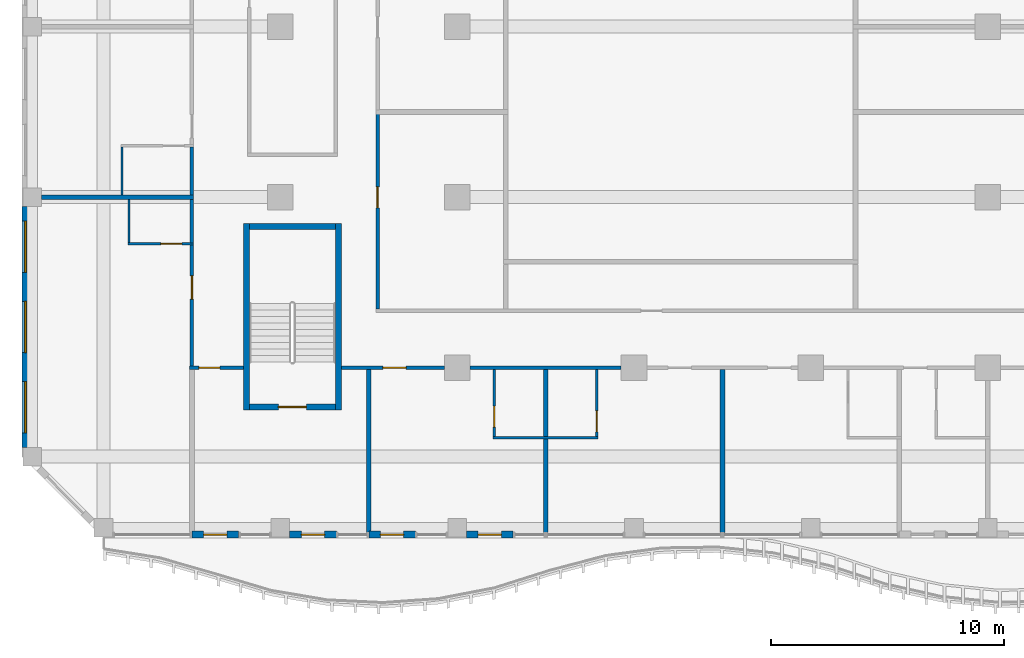
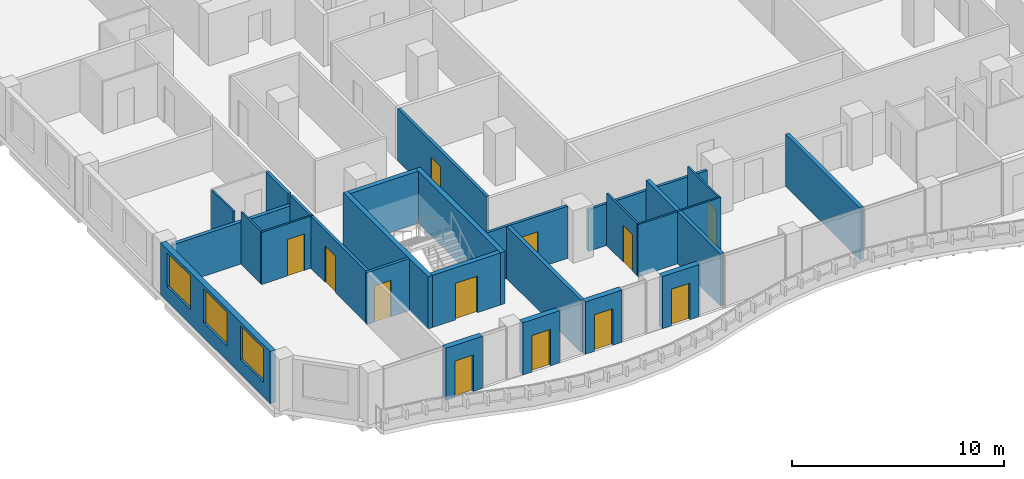
# One storey, part 10 of 23: 27 walls, 12 doors, 3 windows, 15 openings.
"""IFC4 building model written with IfcOpenShell, lengths in metres."""

from ifc_helpers import new_model, si_unit, direction, frame, frame_2d, origin, place, context, subcontext, project, spatial, rectangle, extrude, source, transform, mapped, material, layer, layer_set, type_object, element, fill, save


model = new_model("IFC4")

# Units and contexts
model_context = context("Model", 3, precision=1e-05, world=origin(), true_north=direction((0.0, 1.0)))
body_context = subcontext(model_context, "Body", "Model", "MODEL_VIEW")
ifc_project = project(units=[si_unit("LENGTHUNIT", "METRE"), si_unit("AREAUNIT", "SQUARE_METRE"), si_unit("VOLUMEUNIT", "CUBIC_METRE"), si_unit("PLANEANGLEUNIT", "RADIAN"), si_unit("MASSUNIT", "GRAM", prefix="KILO")], contexts=[model_context])

# Site, building, storey
site_placement = place(None, origin())
site = spatial("IfcSite", under=ifc_project, at=site_placement, CompositionType="ELEMENT")
building_placement = place(site_placement, origin())
building = spatial("IfcBuilding", under=site, at=building_placement, Name="Kilnfold Tower and Market Hall", CompositionType="ELEMENT")
storey_placement = place(building_placement, frame((0.0, 0.0, 160.89990234375)))
storey = spatial("IfcBuildingStorey", under=building, at=storey_placement, Name="L37", CompositionType="ELEMENT", Elevation=160.89990234375)

# Wall, opening, door
ifc_material_1 = material(Name="Gypsum board on steel studs", Category="steel")
ifc_layer_1 = layer(ifc_material_1, 0.14990234375)
ifc_layer_set_1 = layer_set([ifc_layer_1], Name="Gypsum board on steel studs")
wall_type_1 = type_object("IfcWallType", Name="WALL CORRIDOR 150", PredefinedType="PARTITIONING", material=ifc_layer_set_1)
wall_1_placement = place(storey_placement, frame((-13.550048828125, -13.93798828125, 0.0), z_axis=(0.0, 0.0, 1.0), x_axis=(1.0, 0.0, 0.0)))
wall_1 = element("IfcWall", 1, at=wall_1_placement, inside=storey, type_object=wall_type_1, Name="Partition LY24.1", PredefinedType="PARTITIONING", context=body_context, shape_type="SweptSolid", body=[
    extrude(rectangle(XDim=4.4169921875, YDim=0.14990234375, at=frame_2d((2.20849609375, 0.0))), origin(), (0.0, 0.0, 1.0), 3.0),
])
opening_1_placement = place(wall_1_placement, frame((1.777099609375, 0.0, 0.0)))
opening_1 = element("IfcOpeningElement", 2, at=opening_1_placement, cuts=wall_1, Name="Opening D1", PredefinedType="OPENING", context=body_context, shape_type="SweptSolid", body=[
    extrude(rectangle(XDim=1.0, YDim=2.10009765625, at=frame_2d((0.5, 1.050048828125))), frame((0.0, 0.0849609375, 0.0), z_axis=(0.0, -1.0, 0.0), x_axis=(1.0, 0.0, 0.0)), (0.0, 0.0, 1.0), 0.169921875),
])
ifc_material_2 = material(Name="Timber veneer door leaf in steel frame", Category="steel")
door_type_1 = type_object("IfcDoorType", Name="DOOR ENTRY 1000 X2100", OperationType="NOTDEFINED", PredefinedType="DOOR", material=ifc_material_2)
door_1_placement = place(opening_1_placement, origin())
door_1 = element("IfcDoor", 3, at=door_1_placement, inside=storey, type_object=door_type_1, Name="Door D1", OperationType="SINGLE_SWING_LEFT", OverallHeight=2.10009765625, OverallWidth=1.0, PredefinedType="DOOR", context=body_context, shape_type="SweptSolid", body=[
    extrude(rectangle(XDim=1.0, YDim=2.10009765625, at=frame_2d((0.5, 1.050048828125))), frame((0.0, 0.02490234375, 0.0), z_axis=(0.0, -1.0, 0.0), x_axis=(1.0, 0.0, 0.0)), (0.0, 0.0, 1.0), 0.050048828125),
])
fill(opening_1, door_1)

wall_2_placement = place(storey_placement, frame((-20.05908203125, -13.93798828125, 0.0), z_axis=(0.0, 0.0, 1.0), x_axis=(1.0, 0.0, 0.0)))
wall_2 = element("IfcWall", 4, at=wall_2_placement, inside=storey, type_object=wall_type_1, Name="Partition LY24.2", PredefinedType="PARTITIONING", context=body_context, shape_type="SweptSolid", body=[
    extrude(rectangle(XDim=2.30908203125, YDim=0.14990234375, at=frame_2d((1.154541015625, 0.0))), origin(), (0.0, 0.0, 1.0), 3.0),
])
opening_2_placement = place(wall_2_placement, frame((0.402099609375, 0.0, 0.0)))
opening_2 = element("IfcOpeningElement", 5, at=opening_2_placement, cuts=wall_2, Name="Opening D2", PredefinedType="OPENING", context=body_context, shape_type="SweptSolid", body=[
    extrude(rectangle(XDim=0.89990234375, YDim=2.10009765625, at=frame_2d((0.449951171875, 1.050048828125))), frame((0.0, 0.0849609375, 0.0), z_axis=(0.0, -1.0, 0.0), x_axis=(1.0, 0.0, 0.0)), (0.0, 0.0, 1.0), 0.169921875),
])
ifc_material_3 = material(Name="Timber veneer door leaf in steel frame", Category="steel")
door_type_2 = type_object("IfcDoorType", Name="DOOR ROOM 900 X2100", OperationType="NOTDEFINED", PredefinedType="DOOR", material=ifc_material_3)
door_2_placement = place(opening_2_placement, origin())
door_2 = element("IfcDoor", 6, at=door_2_placement, inside=storey, type_object=door_type_2, Name="Door D2", OperationType="SINGLE_SWING_LEFT", OverallHeight=2.10009765625, OverallWidth=0.89990234375, PredefinedType="DOOR", context=body_context, shape_type="SweptSolid", body=[
    extrude(rectangle(XDim=0.89990234375, YDim=2.10009765625, at=frame_2d((0.449951171875, 1.050048828125))), frame((0.0, 0.02490234375, 0.0), z_axis=(0.0, -1.0, 0.0), x_axis=(1.0, 0.0, 0.0)), (0.0, 0.0, 1.0), 0.050048828125),
])
fill(opening_2, door_2)

# Wall
wall_3_placement = place(storey_placement, frame((-8.032958984375, -13.93798828125, 0.0), z_axis=(0.0, 0.0, 1.0), x_axis=(1.0, 0.0, 0.0)))
element("IfcWall", 7, at=wall_3_placement, inside=storey, type_object=wall_type_1, Name="Partition LY24.3", PredefinedType="PARTITIONING", context=body_context, shape_type="SweptSolid", body=[
    extrude(rectangle(XDim=6.48291015625, YDim=0.14990234375, at=frame_2d((3.241455078125, 0.0))), origin(), (0.0, 0.0, 1.0), 2.400146484375),
])

# Wall, opening, door
wall_4_placement = place(storey_placement, frame((-19.958984375, -13.863037109375, 0.0), z_axis=(0.0, 0.0, 1.0), x_axis=(0.0, 1.0, 0.0)))
wall_4 = element("IfcWall", 8, at=wall_4_placement, inside=storey, type_object=wall_type_1, Name="Partition LY24.10", PredefinedType="PARTITIONING", context=body_context, shape_type="SweptSolid", body=[
    extrude(rectangle(XDim=5.197998046875, YDim=0.14990234375, at=frame_2d((2.59912109375, 0.0))), origin(), (0.0, 0.0, 1.0), 3.0),
])
opening_3_placement = place(wall_4_placement, frame((2.868896484375, 0.0, 0.0)))
opening_3 = element("IfcOpeningElement", 9, at=opening_3_placement, cuts=wall_4, Name="Opening D1", PredefinedType="OPENING", context=body_context, shape_type="SweptSolid", body=[
    extrude(rectangle(XDim=1.0, YDim=2.10009765625, at=frame_2d((0.5, 1.050048828125))), frame((0.0, 0.0849609375, 0.0), z_axis=(0.0, -1.0, 0.0), x_axis=(1.0, 0.0, 0.0)), (0.0, 0.0, 1.0), 0.169921875),
])
door_3_placement = place(opening_3_placement, origin())
door_3 = element("IfcDoor", 10, at=door_3_placement, inside=storey, type_object=door_type_1, Name="Door D1", OperationType="SINGLE_SWING_RIGHT", OverallHeight=2.10009765625, OverallWidth=1.0, PredefinedType="DOOR", context=body_context, shape_type="SweptSolid", body=[
    extrude(rectangle(XDim=1.0, YDim=2.10009765625, at=frame_2d((0.5, 1.050048828125))), frame((0.0, 0.02490234375, 0.0), z_axis=(0.0, -1.0, 0.0), x_axis=(1.0, 0.0, 0.0)), (0.0, 0.0, 1.0), 0.050048828125),
])
fill(opening_3, door_3)

# Walls
wall_5_placement = place(storey_placement, frame((-19.958984375, -8.5849609375, 0.0), z_axis=(0.0, 0.0, 1.0), x_axis=(0.0, 1.0, 0.0)))
element("IfcWall", 11, at=wall_5_placement, inside=storey, type_object=wall_type_1, Name="Partition LY24.11", PredefinedType="PARTITIONING", context=body_context, shape_type="SweptSolid", body=[
    extrude(rectangle(XDim=1.869873046875, YDim=0.14990234375, at=frame_2d((0.93505859375, 0.0))), origin(), (0.0, 0.0, 1.0), 3.0),
])
wall_6_placement = place(storey_placement, frame((-19.958984375, -6.534912109375, 0.0), z_axis=(0.0, 0.0, 1.0), x_axis=(0.0, 1.0, 0.0)))
element("IfcWall", 12, at=wall_6_placement, inside=storey, type_object=wall_type_1, Name="Partition LY24.13", PredefinedType="PARTITIONING", context=body_context, shape_type="SweptSolid", body=[
    extrude(rectangle(XDim=2.06982421875, YDim=0.14990234375, at=frame_2d((1.034912109375, 0.0))), origin(), (0.0, 0.0, 1.0), 3.0),
])

# Wall, opening, door
wall_7_placement = place(storey_placement, frame((-12.0, -11.425048828125, 0.0), z_axis=(0.0, 0.0, 1.0), x_axis=(0.0, 1.0, 0.0)))
wall_7 = element("IfcWall", 13, at=wall_7_placement, inside=storey, type_object=wall_type_1, Name="Partition LY24.32", PredefinedType="PARTITIONING", context=body_context, shape_type="SweptSolid", body=[
    extrude(rectangle(XDim=8.365966796875, YDim=0.14990234375, at=frame_2d((4.18310546875, 0.0))), origin(), (0.0, 0.0, 1.0), 3.0),
])
opening_4_placement = place(wall_7_placement, frame((4.339111328125, 0.0, 0.0)))
opening_4 = element("IfcOpeningElement", 14, at=opening_4_placement, cuts=wall_7, Name="Opening D2", PredefinedType="OPENING", context=body_context, shape_type="SweptSolid", body=[
    extrude(rectangle(XDim=0.89990234375, YDim=2.10009765625, at=frame_2d((0.449951171875, 1.050048828125))), frame((0.0, 0.0849609375, 0.0), z_axis=(0.0, -1.0, 0.0), x_axis=(1.0, 0.0, 0.0)), (0.0, 0.0, 1.0), 0.169921875),
])
door_4_placement = place(opening_4_placement, origin())
door_4 = element("IfcDoor", 15, at=door_4_placement, inside=storey, type_object=door_type_2, Name="Door D2", OperationType="SINGLE_SWING_RIGHT", OverallHeight=2.10009765625, OverallWidth=0.89990234375, PredefinedType="DOOR", context=body_context, shape_type="SweptSolid", body=[
    extrude(rectangle(XDim=0.89990234375, YDim=2.10009765625, at=frame_2d((0.449951171875, 1.050048828125))), frame((0.0, 0.02490234375, 0.0), z_axis=(0.0, -1.0, 0.0), x_axis=(1.0, 0.0, 0.0)), (0.0, 0.0, 1.0), 0.050048828125),
])
fill(opening_4, door_4)

ifc_material_4 = material(Name="Gypsum board on steel studs", Category="steel")
ifc_layer_2 = layer(ifc_material_4, 0.10009765625)
ifc_layer_set_2 = layer_set([ifc_layer_2], Name="Gypsum board on steel studs")
wall_type_2 = type_object("IfcWallType", Name="WALL PARTITION 100", PredefinedType="PARTITIONING", material=ifc_layer_set_2)
wall_8_placement = place(storey_placement, frame((-6.991943359375, -16.889892578125, 0.0), z_axis=(0.0, 0.0, 1.0), x_axis=(0.0, 1.0, 0.0)))
wall_8 = element("IfcWall", 16, at=wall_8_placement, inside=storey, type_object=wall_type_2, Name="Partition LY24.49", PredefinedType="PARTITIONING", context=body_context, shape_type="SweptSolid", body=[
    extrude(rectangle(XDim=2.875, YDim=0.10009765625, at=frame_2d((1.4375, 0.0))), origin(), (0.0, 0.0, 1.0), 3.0),
])
opening_5_placement = place(wall_8_placement, frame((0.409912109375, 0.0, 0.0)))
opening_5 = element("IfcOpeningElement", 17, at=opening_5_placement, cuts=wall_8, Name="Opening D3", PredefinedType="OPENING", context=body_context, shape_type="SweptSolid", body=[
    extrude(rectangle(XDim=0.89990234375, YDim=2.10009765625, at=frame_2d((0.449951171875, 1.050048828125))), frame((0.0, 0.06005859375, 0.0), z_axis=(0.0, -1.0, 0.0), x_axis=(1.0, 0.0, 0.0)), (0.0, 0.0, 1.0), 0.1201171875),
])
ifc_material_5 = material(Name="Timber veneer door leaf in steel frame", Category="steel")
door_type_3 = type_object("IfcDoorType", Name="DOOR WC 900 X2100", OperationType="NOTDEFINED", PredefinedType="DOOR", material=ifc_material_5)
door_5_placement = place(opening_5_placement, origin())
door_5 = element("IfcDoor", 18, at=door_5_placement, inside=storey, type_object=door_type_3, Name="Door D3", OperationType="SINGLE_SWING_LEFT", OverallHeight=2.10009765625, OverallWidth=0.89990234375, PredefinedType="DOOR", context=body_context, shape_type="SweptSolid", body=[
    extrude(rectangle(XDim=0.89990234375, YDim=2.10009765625, at=frame_2d((0.449951171875, 1.050048828125))), frame((0.0, 0.02490234375, 0.0), z_axis=(0.0, -1.0, 0.0), x_axis=(1.0, 0.0, 0.0)), (0.0, 0.0, 1.0), 0.050048828125),
])
fill(opening_5, door_5)

# Wall
wall_9_placement = place(storey_placement, frame((-7.0419921875, -16.93994140625, 0.0), z_axis=(0.0, 0.0, 1.0), x_axis=(1.0, 0.0, 0.0)))
element("IfcWall", 19, at=wall_9_placement, inside=storey, type_object=wall_type_2, Name="Partition LY24.50", PredefinedType="PARTITIONING", context=body_context, shape_type="SweptSolid", body=[
    extrude(rectangle(XDim=4.5, YDim=0.10009765625, at=frame_2d((2.25, 0.0))), origin(), (0.0, 0.0, 1.0), 3.0),
])

# Wall, opening, door
wall_10_placement = place(storey_placement, frame((-2.592041015625, -14.014892578125, 0.0), z_axis=(0.0, 0.0, 1.0), x_axis=(0.0, -1.0, 0.0)))
wall_10 = element("IfcWall", 20, at=wall_10_placement, inside=storey, type_object=wall_type_2, Name="Partition LY24.53", PredefinedType="PARTITIONING", context=body_context, shape_type="SweptSolid", body=[
    extrude(rectangle(XDim=2.875, YDim=0.10009765625, at=frame_2d((1.4375, 0.0))), origin(), (0.0, 0.0, 1.0), 3.0),
])
opening_6_placement = place(wall_10_placement, frame((1.77490234375, 0.0, 0.0)))
opening_6 = element("IfcOpeningElement", 21, at=opening_6_placement, cuts=wall_10, Name="Opening D3", PredefinedType="OPENING", context=body_context, shape_type="SweptSolid", body=[
    extrude(rectangle(XDim=0.89990234375, YDim=2.10009765625, at=frame_2d((0.449951171875, 1.050048828125))), frame((0.0, 0.06005859375, 0.0), z_axis=(0.0, -1.0, 0.0), x_axis=(1.0, 0.0, 0.0)), (0.0, 0.0, 1.0), 0.1201171875),
])
door_6_placement = place(opening_6_placement, origin())
door_6 = element("IfcDoor", 22, at=door_6_placement, inside=storey, type_object=door_type_3, Name="Door D3", OperationType="SINGLE_SWING_RIGHT", OverallHeight=2.10009765625, OverallWidth=0.89990234375, PredefinedType="DOOR", context=body_context, shape_type="SweptSolid", body=[
    extrude(rectangle(XDim=0.89990234375, YDim=2.10009765625, at=frame_2d((0.449951171875, 1.050048828125))), frame((0.0, 0.02490234375, 0.0), z_axis=(0.0, -1.0, 0.0), x_axis=(1.0, 0.0, 0.0)), (0.0, 0.0, 1.0), 0.050048828125),
])
fill(opening_6, door_6)

# Wall
wall_11_placement = place(storey_placement, frame((-22.658935546875, -8.574951171875, 0.0), z_axis=(0.0, 0.0, 1.0), x_axis=(0.0, 1.0, 0.0)))
element("IfcWall", 23, at=wall_11_placement, inside=storey, type_object=wall_type_2, Name="Partition LY24.65", PredefinedType="PARTITIONING", context=body_context, shape_type="SweptSolid", body=[
    extrude(rectangle(XDim=1.849853515625, YDim=0.10009765625, at=frame_2d((0.9248046875, 0.0))), origin(), (0.0, 0.0, 1.0), 3.0),
])

# Wall, opening, door
wall_12_placement = place(storey_placement, frame((-19.885986328125, -8.625, 0.0), z_axis=(0.0, 0.0, 1.0), x_axis=(-1.0, 0.0, 0.0)))
wall_12 = element("IfcWall", 24, at=wall_12_placement, inside=storey, type_object=wall_type_2, Name="Partition LY24.66", PredefinedType="PARTITIONING", context=body_context, shape_type="SweptSolid", body=[
    extrude(rectangle(XDim=2.822998046875, YDim=0.10009765625, at=frame_2d((1.41162109375, 0.0))), origin(), (0.0, 0.0, 1.0), 3.0),
])
opening_7_placement = place(wall_12_placement, frame((0.5048828125, 0.0, 0.0)))
opening_7 = element("IfcOpeningElement", 25, at=opening_7_placement, cuts=wall_12, Name="Opening D3", PredefinedType="OPENING", context=body_context, shape_type="SweptSolid", body=[
    extrude(rectangle(XDim=0.89990234375, YDim=2.10009765625, at=frame_2d((0.449951171875, 1.050048828125))), frame((0.0, 0.06005859375, 0.0), z_axis=(0.0, -1.0, 0.0), x_axis=(1.0, 0.0, 0.0)), (0.0, 0.0, 1.0), 0.1201171875),
])
door_7_placement = place(opening_7_placement, origin())
door_7 = element("IfcDoor", 26, at=door_7_placement, inside=storey, type_object=door_type_3, Name="Door D3", OperationType="SINGLE_SWING_RIGHT", OverallHeight=2.10009765625, OverallWidth=0.89990234375, PredefinedType="DOOR", context=body_context, shape_type="SweptSolid", body=[
    extrude(rectangle(XDim=0.89990234375, YDim=2.10009765625, at=frame_2d((0.449951171875, 1.050048828125))), frame((0.0, 0.02490234375, 0.0), z_axis=(0.0, -1.0, 0.0), x_axis=(1.0, 0.0, 0.0)), (0.0, 0.0, 1.0), 0.050048828125),
])
fill(opening_7, door_7)

# Walls
wall_13_placement = place(storey_placement, frame((-22.9609375, -6.52490234375, 0.0), z_axis=(0.0, 0.0, 1.0), x_axis=(0.0, 1.0, 0.0)))
element("IfcWall", 27, at=wall_13_placement, inside=storey, type_object=wall_type_2, Name="Partition LY24.68", PredefinedType="PARTITIONING", context=body_context, shape_type="SweptSolid", body=[
    extrude(rectangle(XDim=2.0498046875, YDim=0.10009765625, at=frame_2d((1.02490234375, 0.0))), origin(), (0.0, 0.0, 1.0), 3.0),
])
ifc_material_6 = material(Name="Gypsum board on steel studs", Category="steel")
ifc_layer_3 = layer(ifc_material_6, 0.199951171875)
ifc_layer_set_3 = layer_set([ifc_layer_3], Name="Gypsum board on steel studs")
wall_type_3 = type_object("IfcWallType", Name="WALL PARTY 200", PredefinedType="PARTITIONING", material=ifc_layer_set_3)
wall_14_placement = place(storey_placement, frame((-12.375, -21.0, 0.0), z_axis=(0.0, 0.0, 1.0), x_axis=(0.0, 1.0, 0.0)))
element("IfcWall", 28, at=wall_14_placement, inside=storey, type_object=wall_type_3, Name="Partition LY24.47", PredefinedType="PARTITIONING", context=body_context, shape_type="SweptSolid", body=[
    extrude(rectangle(XDim=6.985107421875, YDim=0.199951171875, at=frame_2d((3.49267578125, 0.0))), origin(), (0.0, 0.0, 1.0), 3.0),
])
wall_15_placement = place(storey_placement, frame((-4.7919921875, -21.0, 0.0), z_axis=(0.0, 0.0, 1.0), x_axis=(0.0, 1.0, 0.0)))
element("IfcWall", 29, at=wall_15_placement, inside=storey, type_object=wall_type_3, Name="Partition LY24.51", PredefinedType="PARTITIONING", context=body_context, shape_type="SweptSolid", body=[
    extrude(rectangle(XDim=4.010009765625, YDim=0.199951171875, at=frame_2d((2.0048828125, 0.0))), origin(), (0.0, 0.0, 1.0), 3.0),
])
wall_16_placement = place(storey_placement, frame((-4.7919921875, -16.889892578125, 0.0), z_axis=(0.0, 0.0, 1.0), x_axis=(0.0, 1.0, 0.0)))
element("IfcWall", 30, at=wall_16_placement, inside=storey, type_object=wall_type_3, Name="Partition LY24.52", PredefinedType="PARTITIONING", context=body_context, shape_type="SweptSolid", body=[
    extrude(rectangle(XDim=2.875, YDim=0.199951171875, at=frame_2d((1.4375, 0.0))), origin(), (0.0, 0.0, 1.0), 3.0),
])
wall_17_placement = place(storey_placement, frame((2.7919921875, -21.0, 0.0), z_axis=(0.0, 0.0, 1.0), x_axis=(0.0, 1.0, 0.0)))
element("IfcWall", 31, at=wall_17_placement, inside=storey, type_object=wall_type_3, Name="Partition LY24.54", PredefinedType="PARTITIONING", context=body_context, shape_type="SweptSolid", body=[
    extrude(rectangle(XDim=6.985107421875, YDim=0.199951171875, at=frame_2d((3.49267578125, 0.0))), origin(), (0.0, 0.0, 1.0), 3.0),
])
wall_18_placement = place(storey_placement, frame((-26.39990234375, -6.625, 0.0), z_axis=(0.0, 0.0, 1.0), x_axis=(1.0, 0.0, 0.0)))
element("IfcWall", 32, at=wall_18_placement, inside=storey, type_object=wall_type_3, Name="Partition LY24.67", PredefinedType="PARTITIONING", context=body_context, shape_type="SweptSolid", body=[
    extrude(rectangle(XDim=6.513916015625, YDim=0.199951171875, at=frame_2d((3.2568359375, 0.0))), origin(), (0.0, 0.0, 1.0), 2.400146484375),
])

# Wall, opening, door
ifc_material_7 = material(Name="Concrete C70", Category="concrete")
ifc_layer_4 = layer(ifc_material_7, 0.25)
ifc_layer_set_4 = layer_set([ifc_layer_4], Name="Concrete C70")
wall_type_4 = type_object("IfcWallType", Name="CORE WALL 250 C70", PredefinedType="SHEAR", material=ifc_layer_set_4)
shared_shape_1 = source(origin(), body_context, "Body", "SweptSolid", [
    extrude(rectangle(XDim=3.699951171875, YDim=0.25, at=frame_2d((1.85009765625, 0.0))), origin(), (0.0, 0.0, 1.0), 3.0),
])
wall_19_placement = place(storey_placement, frame((-17.5, -15.625, 0.0), z_axis=(0.0, 0.0, 1.0), x_axis=(1.0, 0.0, 0.0)))
wall_19 = element("IfcWall", 33, at=wall_19_placement, inside=storey, type_object=wall_type_4, Name="Stair enclosure ST3", PredefinedType="SHEAR", context=body_context, shape_type="MappedRepresentation", body=[
    mapped(shared_shape_1, transform((0.0, 0.0, 0.0))),
])
opening_8_placement = place(wall_19_placement, frame((1.25, 0.0, 0.0)))
opening_8 = element("IfcOpeningElement", 34, at=opening_8_placement, cuts=wall_19, Name="Opening SD1", PredefinedType="OPENING", context=body_context, shape_type="SweptSolid", body=[
    extrude(rectangle(XDim=1.199951171875, YDim=2.10009765625, at=frame_2d((0.60009765625, 1.050048828125))), frame((0.0, 0.135009765625, 0.0), z_axis=(0.0, -1.0, 0.0), x_axis=(1.0, 0.0, 0.0)), (0.0, 0.0, 1.0), 0.27001953125),
])
ifc_material_8 = material(Name="Steel door set with fire-resisting leaf", Category="steel")
door_type_4 = type_object("IfcDoorType", Name="STAIR FLOOR DOOR 1200X2100", OperationType="NOTDEFINED", PredefinedType="DOOR", material=ifc_material_8)
door_8_placement = place(opening_8_placement, origin())
door_8 = element("IfcDoor", 35, at=door_8_placement, inside=storey, type_object=door_type_4, Name="Exit stair ST3 door", OperationType="DOUBLE_DOOR_SINGLE_SWING", OverallHeight=2.10009765625, OverallWidth=1.199951171875, PredefinedType="DOOR", context=body_context, shape_type="SweptSolid", body=[
    extrude(rectangle(XDim=1.199951171875, YDim=2.10009765625, at=frame_2d((0.60009765625, 1.050048828125))), frame((0.0, 0.02490234375, 0.0), z_axis=(0.0, -1.0, 0.0), x_axis=(1.0, 0.0, 0.0)), (0.0, 0.0, 1.0), 0.050048828125),
])
fill(opening_8, door_8)

# Walls
wall_20_placement = place(storey_placement, frame((-17.5, -7.875, 0.0), z_axis=(0.0, 0.0, 1.0), x_axis=(1.0, 0.0, 0.0)))
element("IfcWall", 36, at=wall_20_placement, inside=storey, type_object=wall_type_4, Name="Stair enclosure ST3", PredefinedType="SHEAR", context=body_context, shape_type="MappedRepresentation", body=[
    mapped(shared_shape_1, transform((0.0, 0.0, 0.0))),
])
shared_shape_2 = source(origin(), body_context, "Body", "SweptSolid", [
    extrude(rectangle(XDim=8.0, YDim=0.25, at=frame_2d((4.0, 0.0))), origin(), (0.0, 0.0, 1.0), 3.0),
])
for number, where, z_axis, x_axis, name in (
    (37, (-17.625, -15.75, 0.0), (0.0, 0.0, 1.0), (0.0, 1.0, 0.0), "Stair enclosure ST3"),
    (38, (-13.675048828125, -15.75, 0.0), (0.0, 0.0, 1.0), (0.0, 1.0, 0.0), "Stair enclosure ST3"),
):
    element("IfcWall", number, at=place(storey_placement, frame(where, z_axis=z_axis, x_axis=x_axis)), inside=storey, type_object=wall_type_4, Name=name, PredefinedType="SHEAR", context=body_context, shape_type="MappedRepresentation", body=[
        mapped(shared_shape_2, transform((0.0, 0.0, 0.0))),
    ])

# Wall, opening, door
ifc_material_9 = material(Name="Precast concrete C50/60", Category="concrete")
ifc_layer_5 = layer(ifc_material_9, 0.300048828125)
ifc_layer_set_5 = layer_set([ifc_layer_5], Name="Precast concrete C50/60")
wall_type_5 = type_object("IfcWallType", Name="PRECAST WALL 300", PredefinedType="SOLIDWALL", material=ifc_layer_set_5)
shared_shape_3 = source(origin(), body_context, "Body", "SweptSolid", [
    extrude(rectangle(XDim=2.0, YDim=0.300048828125, at=frame_2d((1.0, 0.0))), origin(), (0.0, 0.0, 1.0), 3.0),
])
wall_21_placement = place(storey_placement, frame((-19.95849609375, -21.10009765625, 0.0), z_axis=(0.0, 0.0, 1.0), x_axis=(1.0, 0.0, 0.0)))
wall_21 = element("IfcWall", 39, at=wall_21_placement, inside=storey, type_object=wall_type_5, Name="External wall L37 S", PredefinedType="SOLIDWALL", context=body_context, shape_type="MappedRepresentation", body=[
    mapped(shared_shape_3, transform((0.0, 0.0, 0.0))),
])
opening_9_placement = place(wall_21_placement, frame((0.5, 0.0, 0.0)))
opening_9 = element("IfcOpeningElement", 40, at=opening_9_placement, cuts=wall_21, Name="Opening BD1", PredefinedType="OPENING", context=body_context, shape_type="SweptSolid", body=[
    extrude(rectangle(XDim=1.0, YDim=2.10009765625, at=frame_2d((0.5, 1.050048828125))), frame((0.0, 0.16015625, 0.0), z_axis=(0.0, -1.0, 0.0), x_axis=(1.0, 0.0, 0.0)), (0.0, 0.0, 1.0), 0.320068359375),
])
ifc_material_10 = material(Name="Aluminium frame and double glazing", Category="aluminium")
door_type_5 = type_object("IfcDoorType", Name="BALCONY DOOR 1000X2100", OperationType="NOTDEFINED", PredefinedType="DOOR", material=ifc_material_10)
door_9_placement = place(opening_9_placement, origin())
door_9 = element("IfcDoor", 41, at=door_9_placement, inside=storey, type_object=door_type_5, Name="Balcony door BD1 L37 S-2", OperationType="SINGLE_SWING_RIGHT", OverallHeight=2.10009765625, OverallWidth=1.0, PredefinedType="DOOR", context=body_context, shape_type="SweptSolid", body=[
    extrude(rectangle(XDim=1.0, YDim=2.10009765625, at=frame_2d((0.5, 1.050048828125))), frame((0.0, 0.02490234375, 0.0), z_axis=(0.0, -1.0, 0.0), x_axis=(1.0, 0.0, 0.0)), (0.0, 0.0, 1.0), 0.050048828125),
])
fill(opening_9, door_9)

wall_22_placement = place(storey_placement, frame((-15.7666015625, -21.10009765625, 0.0), z_axis=(0.0, 0.0, 1.0), x_axis=(1.0, 0.0, 0.0)))
wall_22 = element("IfcWall", 42, at=wall_22_placement, inside=storey, type_object=wall_type_5, Name="External wall L37 S", PredefinedType="SOLIDWALL", context=body_context, shape_type="MappedRepresentation", body=[
    mapped(shared_shape_3, transform((0.0, 0.0, 0.0))),
])
opening_10_placement = place(wall_22_placement, frame((0.5, 0.0, 0.0)))
opening_10 = element("IfcOpeningElement", 43, at=opening_10_placement, cuts=wall_22, Name="Opening BD1", PredefinedType="OPENING", context=body_context, shape_type="SweptSolid", body=[
    extrude(rectangle(XDim=1.0, YDim=2.10009765625, at=frame_2d((0.5, 1.050048828125))), frame((0.0, 0.16015625, 0.0), z_axis=(0.0, -1.0, 0.0), x_axis=(1.0, 0.0, 0.0)), (0.0, 0.0, 1.0), 0.320068359375),
])
door_10_placement = place(opening_10_placement, origin())
door_10 = element("IfcDoor", 44, at=door_10_placement, inside=storey, type_object=door_type_5, Name="Balcony door BD1 L37 S-1", OperationType="SINGLE_SWING_LEFT", OverallHeight=2.10009765625, OverallWidth=1.0, PredefinedType="DOOR", context=body_context, shape_type="SweptSolid", body=[
    extrude(rectangle(XDim=1.0, YDim=2.10009765625, at=frame_2d((0.5, 1.050048828125))), frame((0.0, 0.02490234375, 0.0), z_axis=(0.0, -1.0, 0.0), x_axis=(1.0, 0.0, 0.0)), (0.0, 0.0, 1.0), 0.050048828125),
])
fill(opening_10, door_10)

wall_23_placement = place(storey_placement, frame((-12.375, -21.10009765625, 0.0), z_axis=(0.0, 0.0, 1.0), x_axis=(1.0, 0.0, 0.0)))
wall_23 = element("IfcWall", 45, at=wall_23_placement, inside=storey, type_object=wall_type_5, Name="External wall L37 S", PredefinedType="SOLIDWALL", context=body_context, shape_type="MappedRepresentation", body=[
    mapped(shared_shape_3, transform((0.0, 0.0, 0.0))),
])
opening_11_placement = place(wall_23_placement, frame((0.5, 0.0, 0.0)))
opening_11 = element("IfcOpeningElement", 46, at=opening_11_placement, cuts=wall_23, Name="Opening BD1", PredefinedType="OPENING", context=body_context, shape_type="SweptSolid", body=[
    extrude(rectangle(XDim=1.0, YDim=2.10009765625, at=frame_2d((0.5, 1.050048828125))), frame((0.0, 0.16015625, 0.0), z_axis=(0.0, -1.0, 0.0), x_axis=(1.0, 0.0, 0.0)), (0.0, 0.0, 1.0), 0.320068359375),
])
door_11_placement = place(opening_11_placement, origin())
door_11 = element("IfcDoor", 47, at=door_11_placement, inside=storey, type_object=door_type_5, Name="Balcony door BD1 L37 S-2", OperationType="SINGLE_SWING_RIGHT", OverallHeight=2.10009765625, OverallWidth=1.0, PredefinedType="DOOR", context=body_context, shape_type="SweptSolid", body=[
    extrude(rectangle(XDim=1.0, YDim=2.10009765625, at=frame_2d((0.5, 1.050048828125))), frame((0.0, 0.02490234375, 0.0), z_axis=(0.0, -1.0, 0.0), x_axis=(1.0, 0.0, 0.0)), (0.0, 0.0, 1.0), 0.050048828125),
])
fill(opening_11, door_11)

wall_24_placement = place(storey_placement, frame((-8.183349609375, -21.10009765625, 0.0), z_axis=(0.0, 0.0, 1.0), x_axis=(1.0, 0.0, 0.0)))
wall_24 = element("IfcWall", 48, at=wall_24_placement, inside=storey, type_object=wall_type_5, Name="External wall L37 S", PredefinedType="SOLIDWALL", context=body_context, shape_type="MappedRepresentation", body=[
    mapped(shared_shape_3, transform((0.0, 0.0, 0.0))),
])
opening_12_placement = place(wall_24_placement, frame((0.5, 0.0, 0.0)))
opening_12 = element("IfcOpeningElement", 49, at=opening_12_placement, cuts=wall_24, Name="Opening BD1", PredefinedType="OPENING", context=body_context, shape_type="SweptSolid", body=[
    extrude(rectangle(XDim=1.0, YDim=2.10009765625, at=frame_2d((0.5, 1.050048828125))), frame((0.0, 0.16015625, 0.0), z_axis=(0.0, -1.0, 0.0), x_axis=(1.0, 0.0, 0.0)), (0.0, 0.0, 1.0), 0.320068359375),
])
door_12_placement = place(opening_12_placement, origin())
door_12 = element("IfcDoor", 50, at=door_12_placement, inside=storey, type_object=door_type_5, Name="Balcony door BD1 L37 S-1", OperationType="SINGLE_SWING_LEFT", OverallHeight=2.10009765625, OverallWidth=1.0, PredefinedType="DOOR", context=body_context, shape_type="SweptSolid", body=[
    extrude(rectangle(XDim=1.0, YDim=2.10009765625, at=frame_2d((0.5, 1.050048828125))), frame((0.0, 0.02490234375, 0.0), z_axis=(0.0, -1.0, 0.0), x_axis=(1.0, 0.0, 0.0)), (0.0, 0.0, 1.0), 0.050048828125),
])
fill(opening_12, door_12)

# Wall, openings, windows
shared_shape_4 = source(origin(), body_context, "Body", "SweptSolid", [
    extrude(rectangle(XDim=10.3251953125, YDim=0.300048828125, at=frame_2d((5.16259765625, 0.0))), origin(), (0.0, 0.0, 1.0), 3.0),
])
wall_25_placement = place(storey_placement, frame((-27.10009765625, -7.02490234375, 0.0), z_axis=(0.0, 0.0, 1.0), x_axis=(0.0, -1.0, 0.0)))
wall_25 = element("IfcWall", 51, at=wall_25_placement, inside=storey, type_object=wall_type_5, Name="External wall L37 W", PredefinedType="SOLIDWALL", context=body_context, shape_type="MappedRepresentation", body=[
    mapped(shared_shape_4, transform((0.0, 0.0, 0.0))),
])
opening_13_placement = place(wall_25_placement, frame((0.620849609375, 0.0, 0.85009765625)))
opening_13 = element("IfcOpeningElement", 52, at=opening_13_placement, cuts=wall_25, Name="Opening W2", PredefinedType="OPENING", context=body_context, shape_type="SweptSolid", body=[
    extrude(rectangle(XDim=2.199951171875, YDim=1.949951171875, at=frame_2d((1.10009765625, 0.97509765625))), frame((0.0, 0.16015625, 0.0), z_axis=(0.0, -1.0, 0.0), x_axis=(1.0, 0.0, 0.0)), (0.0, 0.0, 1.0), 0.320068359375),
])
opening_14_placement = place(wall_25_placement, frame((4.0625, 0.0, 0.85009765625)))
opening_14 = element("IfcOpeningElement", 53, at=opening_14_placement, cuts=wall_25, Name="Opening W2", PredefinedType="OPENING", context=body_context, shape_type="SweptSolid", body=[
    extrude(rectangle(XDim=2.199951171875, YDim=1.949951171875, at=frame_2d((1.10009765625, 0.97509765625))), frame((0.0, 0.16015625, 0.0), z_axis=(0.0, -1.0, 0.0), x_axis=(1.0, 0.0, 0.0)), (0.0, 0.0, 1.0), 0.320068359375),
])
opening_15_placement = place(wall_25_placement, frame((7.504150390625, 0.0, 0.85009765625)))
opening_15 = element("IfcOpeningElement", 54, at=opening_15_placement, cuts=wall_25, Name="Opening W2", PredefinedType="OPENING", context=body_context, shape_type="SweptSolid", body=[
    extrude(rectangle(XDim=2.199951171875, YDim=1.949951171875, at=frame_2d((1.10009765625, 0.97509765625))), frame((0.0, 0.16015625, 0.0), z_axis=(0.0, -1.0, 0.0), x_axis=(1.0, 0.0, 0.0)), (0.0, 0.0, 1.0), 0.320068359375),
])
ifc_material_11 = material(Name="Aluminium frame and double glazing", Category="aluminium")
window_type = type_object("IfcWindowType", Name="WINDOW W2 2200X1950", PartitioningType="SINGLE_PANEL", PredefinedType="WINDOW", material=ifc_material_11)
window_1_placement = place(opening_13_placement, origin())
window_1 = element("IfcWindow", 55, at=window_1_placement, inside=storey, type_object=window_type, Name="Window W2 L37 W-1", OverallHeight=1.949951171875, OverallWidth=2.199951171875, PartitioningType="SINGLE_PANEL", PredefinedType="WINDOW", context=body_context, shape_type="SweptSolid", body=[
    extrude(rectangle(XDim=2.199951171875, YDim=1.949951171875, at=frame_2d((1.10009765625, 0.97509765625))), frame((0.0, 0.030029296875, 0.0), z_axis=(0.0, -1.0, 0.0), x_axis=(1.0, 0.0, 0.0)), (0.0, 0.0, 1.0), 0.06005859375),
])
fill(opening_13, window_1)
window_2_placement = place(opening_14_placement, origin())
window_2 = element("IfcWindow", 56, at=window_2_placement, inside=storey, type_object=window_type, Name="Window W2 L37 W-2", OverallHeight=1.949951171875, OverallWidth=2.199951171875, PartitioningType="SINGLE_PANEL", PredefinedType="WINDOW", context=body_context, shape_type="SweptSolid", body=[
    extrude(rectangle(XDim=2.199951171875, YDim=1.949951171875, at=frame_2d((1.10009765625, 0.97509765625))), frame((0.0, 0.030029296875, 0.0), z_axis=(0.0, -1.0, 0.0), x_axis=(1.0, 0.0, 0.0)), (0.0, 0.0, 1.0), 0.06005859375),
])
fill(opening_14, window_2)
window_3_placement = place(opening_15_placement, origin())
window_3 = element("IfcWindow", 57, at=window_3_placement, inside=storey, type_object=window_type, Name="Window W2 L37 W-3", OverallHeight=1.949951171875, OverallWidth=2.199951171875, PartitioningType="SINGLE_PANEL", PredefinedType="WINDOW", context=body_context, shape_type="SweptSolid", body=[
    extrude(rectangle(XDim=2.199951171875, YDim=1.949951171875, at=frame_2d((1.10009765625, 0.97509765625))), frame((0.0, 0.030029296875, 0.0), z_axis=(0.0, -1.0, 0.0), x_axis=(1.0, 0.0, 0.0)), (0.0, 0.0, 1.0), 0.06005859375),
])
fill(opening_15, window_3)

save(model, "model.ifc")
